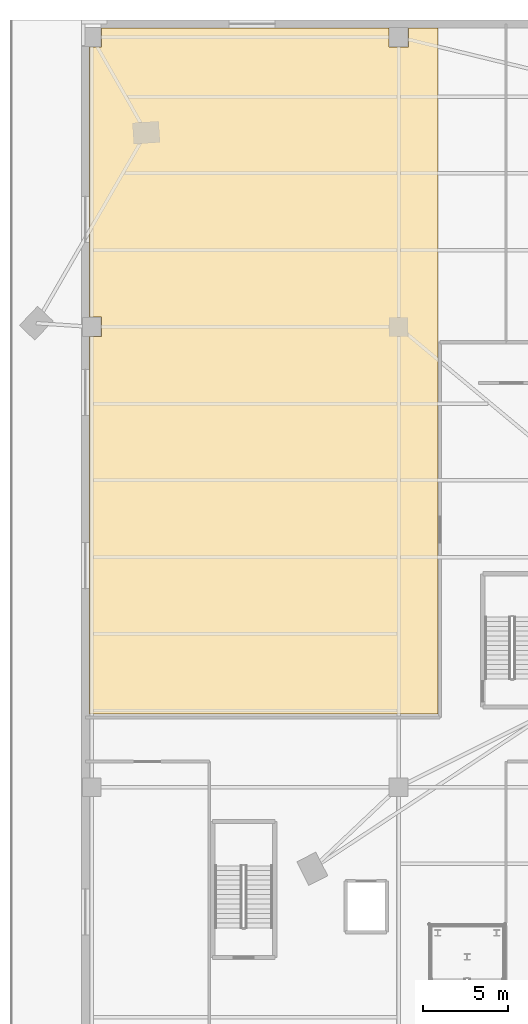
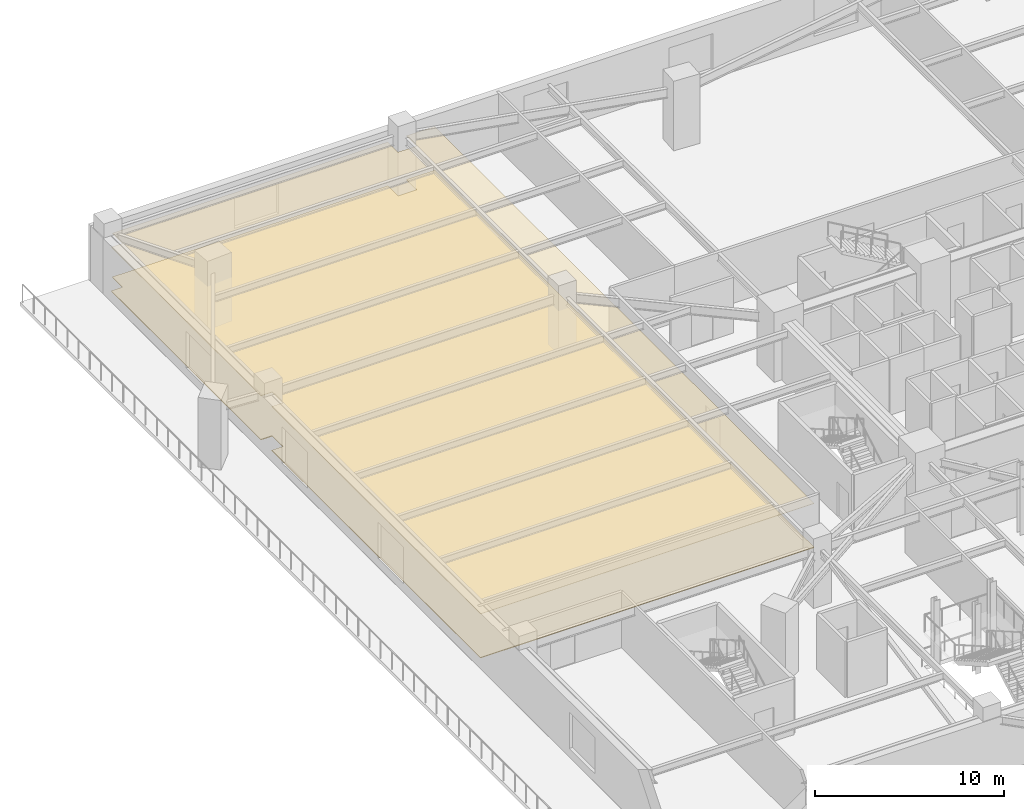
# One storey, part 16 of 19: 2 coverings.
"""IFC4 building model written with IfcOpenShell, lengths in metres."""

from ifc_helpers import new_model, si_unit, direction, frame, origin, place, context, subcontext, project, spatial, polyline, outline, extrude, material, layer, layer_set, type_object, element, save


model = new_model("IFC4")

# Units and contexts
model_context = context("Model", 3, precision=1e-05, world=origin(), true_north=direction((0.0, 1.0)))
body_context = subcontext(model_context, "Body", "Model", "MODEL_VIEW")
ifc_project = project(units=[si_unit("LENGTHUNIT", "METRE"), si_unit("AREAUNIT", "SQUARE_METRE"), si_unit("VOLUMEUNIT", "CUBIC_METRE"), si_unit("PLANEANGLEUNIT", "RADIAN"), si_unit("MASSUNIT", "GRAM", prefix="KILO")], contexts=[model_context])

# Site, building, storey
site_placement = place(None, origin())
site = spatial("IfcSite", under=ifc_project, at=site_placement, CompositionType="ELEMENT")
building_placement = place(site_placement, origin())
building = spatial("IfcBuilding", under=site, at=building_placement, Name="Liaohun Quay Tower", CompositionType="ELEMENT")
storey_placement = place(building_placement, frame((0.0, 0.0, 18.89990234375)))
storey = spatial("IfcBuildingStorey", under=building, at=storey_placement, Name="L05", CompositionType="ELEMENT", Elevation=18.89990234375)

# Coverings
ifc_material_1 = material(Name="Mineral-fibre acoustic ceiling tile")
ifc_layer_1 = layer(ifc_material_1, 0.02490234375, Name="Mineral-fibre acoustic ceiling tile")
ifc_layer_set_1 = layer_set([ifc_layer_1], Name="Mineral-fibre acoustic ceiling tile")
covering_type_1 = type_object("IfcCoveringType", Name="COV-CEIL-ACT", PredefinedType="CEILING", material=ifc_layer_set_1)
covering_1_placement = place(storey_placement, frame((0.0, 0.0, 2.85009765625)))
element("IfcCovering", 1, at=covering_1_placement, inside=storey, type_object=covering_type_1, Name="L05 Project Design Studio Acoustic Ceiling", PredefinedType="CEILING", context=body_context, shape_type="SweptSolid", body=[
    extrude(outline(polyline([(42.570068359375, 86.52001953125), (42.570068359375, 85.429931640625), (41.429931640625, 85.429931640625), (41.429931640625, 86.52001953125), (24.570068359375, 86.52001953125), (24.570068359375, 85.429931640625), (23.8798828125, 85.429931640625), (23.8798828125, 69.570068359375), (24.570068359375, 69.570068359375), (24.570068359375, 68.429931640625), (23.8798828125, 68.429931640625), (23.8798828125, 46.300048828125), (44.300048828125, 46.300048828125), (44.300048828125, 86.52001953125), (42.570068359375, 86.52001953125)])), origin(), (0.0, 0.0, 1.0), 0.02490234375),
])
ifc_material_2 = material(Name="Calcium-sulphate raised access floor tile")
ifc_layer_2 = layer(ifc_material_2, 0.044921875, Name="Calcium-sulphate raised access floor tile")
ifc_layer_set_2 = layer_set([ifc_layer_2], Name="Calcium-sulphate raised access floor tile")
covering_type_2 = type_object("IfcCoveringType", Name="COV-FLR-RAF", PredefinedType="FLOORING", material=ifc_layer_set_2)
covering_2_placement = place(storey_placement, origin())
element("IfcCovering", 2, at=covering_2_placement, inside=storey, type_object=covering_type_2, Name="L05 Project Design Studio Floor Finish", PredefinedType="FLOORING", context=body_context, shape_type="SweptSolid", body=[
    extrude(outline(polyline([(42.570068359375, 86.52001953125), (42.570068359375, 85.429931640625), (41.429931640625, 85.429931640625), (41.429931640625, 86.52001953125), (24.570068359375, 86.52001953125), (24.570068359375, 85.429931640625), (23.8798828125, 85.429931640625), (23.8798828125, 69.570068359375), (24.570068359375, 69.570068359375), (24.570068359375, 68.429931640625), (23.8798828125, 68.429931640625), (23.8798828125, 46.300048828125), (44.300048828125, 46.300048828125), (44.300048828125, 86.52001953125), (42.570068359375, 86.52001953125)])), origin(), (0.0, 0.0, 1.0), 0.045166015625),
])

save(model, "model.ifc")
